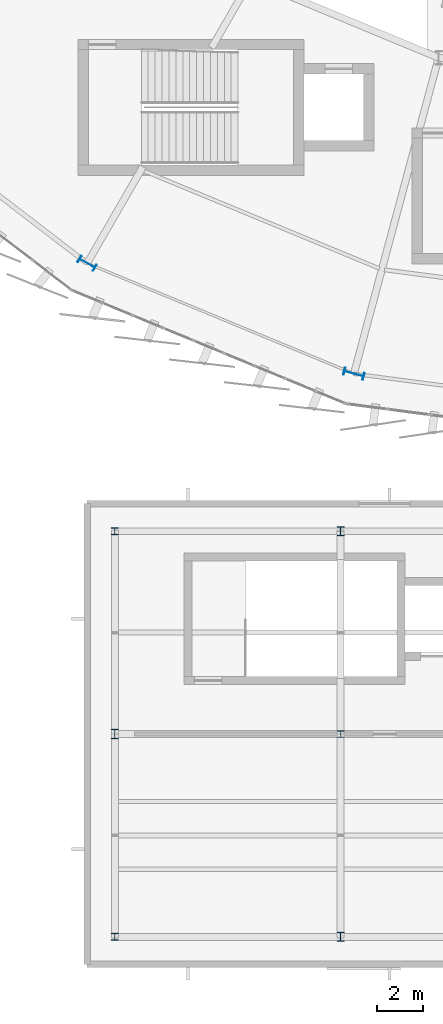
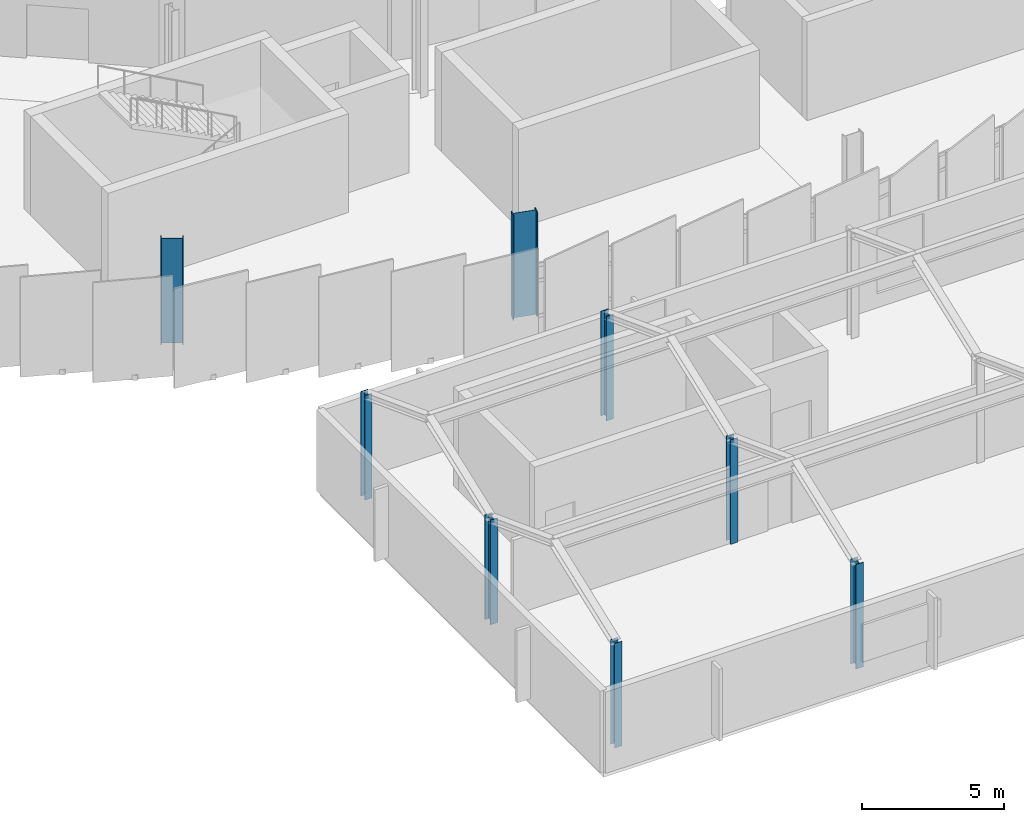
# One storey, part 1 of 87: 8 columns.
"""IFC4 building model written with IfcOpenShell, lengths in metres."""

from ifc_helpers import new_model, si_unit, direction, frame, origin, origin_2d, place, context, subcontext, project, spatial, i_section, extrude, material, material_profile, profile_set, type_object, element, save


model = new_model("IFC4")

# Units and contexts
model_context = context("Model", 3, precision=1e-05, world=origin(), true_north=direction((0.0, 1.0)))
body_context = subcontext(model_context, "Body", "Model", "MODEL_VIEW")
ifc_project = project(units=[si_unit("LENGTHUNIT", "METRE"), si_unit("AREAUNIT", "SQUARE_METRE"), si_unit("VOLUMEUNIT", "CUBIC_METRE"), si_unit("PLANEANGLEUNIT", "RADIAN"), si_unit("MASSUNIT", "GRAM", prefix="KILO")], contexts=[model_context])

# Site, building, storey
site_placement = place(None, origin())
site = spatial("IfcSite", under=ifc_project, at=site_placement, CompositionType="ELEMENT")
building_placement = place(site_placement, origin())
building = spatial("IfcBuilding", under=site, at=building_placement, Name="Sohan Crest Arena", CompositionType="ELEMENT")
storey_placement = place(building_placement, frame((0.0, 0.0, 18.0)))
storey = spatial("IfcBuildingStorey", under=building, at=storey_placement, Name="L04", CompositionType="ELEMENT", Elevation=18.0)

# Columns
ifc_material = material(Name="Steel S355", Category="steel")
ifc_material_profile_1 = material_profile(ifc_material, i_section(OverallWidth=0.300048828125, OverallDepth=0.300048828125, WebThickness=0.010986328125, FlangeThickness=0.01904296875, at=origin_2d()), Name="HEB 300")
ifc_profile_set_1 = profile_set([ifc_material_profile_1], Name="Steel S355")
column_type_1 = type_object("IfcColumnType", Name="STR-COL-C17", PredefinedType="COLUMN", material=ifc_profile_set_1)
for number, where, z_axis, x_axis, name in (
    (1, (75.199951171875, 7.199951171875, 0.0), (0.0, 0.0, 1.0), (1.0, 0.0, 0.0), "Structural column COL-V5C-01-1-L04"),
    (2, (75.199951171875, 24.800048828125, 0.0), (0.0, 0.0, 1.0), (1.0, 0.0, 0.0), "Structural column COL-V5C-01-3-L04"),
    (3, (85.0, 16.0, 0.0), (0.0, 0.0, 1.0), (1.0, 0.0, 0.0), "Structural column COL-V5C-02-2-L04"),
):
    element("IfcColumn", number, at=place(storey_placement, frame(where, z_axis=z_axis, x_axis=x_axis)), inside=storey, type_object=column_type_1, Name=name, PredefinedType="COLUMN", context=body_context, shape_type="SweptSolid", body=[
        extrude(i_section(OverallWidth=0.300048828125, OverallDepth=0.300048828125, WebThickness=0.010986328125, FlangeThickness=0.01904296875, at=origin_2d()), origin(), (0.0, 0.0, 1.0), 4.5),
    ])
ifc_material_profile_2 = material_profile(ifc_material, i_section(OverallWidth=0.300048828125, OverallDepth=0.39990234375, WebThickness=0.013427734375, FlangeThickness=0.02392578125, at=origin_2d()), Name="HEB 400")
ifc_profile_set_2 = profile_set([ifc_material_profile_2], Name="Steel S355")
column_type_2 = type_object("IfcColumnType", Name="STR-COL-C18", PredefinedType="COLUMN", material=ifc_profile_set_2)
for number, where, z_axis, x_axis, name in (
    (4, (75.199951171875, 16.0, 0.0), (0.0, 0.0, 1.0), (1.0, 0.0, 0.0), "Structural column COL-V5C-01-2-L04"),
    (5, (85.0, 7.199951171875, 0.0), (0.0, 0.0, 1.0), (1.0, 0.0, 0.0), "Structural column COL-V5C-02-1-L04"),
    (6, (85.0, 24.800048828125, 0.0), (0.0, 0.0, 1.0), (1.0, 0.0, 0.0), "Structural column COL-V5C-02-3-L04"),
):
    element("IfcColumn", number, at=place(storey_placement, frame(where, z_axis=z_axis, x_axis=x_axis)), inside=storey, type_object=column_type_2, Name=name, PredefinedType="COLUMN", context=body_context, shape_type="SweptSolid", body=[
        extrude(i_section(OverallWidth=0.300048828125, OverallDepth=0.39990234375, WebThickness=0.013427734375, FlangeThickness=0.02392578125, at=origin_2d()), origin(), (0.0, 0.0, 1.0), 4.5),
    ])
ifc_material_profile_3 = material_profile(ifc_material, i_section(OverallWidth=0.300048828125, OverallDepth=0.800048828125, WebThickness=0.017578125, FlangeThickness=0.032958984375, at=origin_2d()), Name="HEB 800")
ifc_profile_set_3 = profile_set([ifc_material_profile_3], Name="Steel S355")
column_type_3 = type_object("IfcColumnType", Name="STR-COL-C22", PredefinedType="COLUMN", material=ifc_profile_set_3)
column_1_placement = place(storey_placement, frame((74.0, 36.430908203125, 0.0), z_axis=(0.0, 0.0, 1.0), x_axis=(0.5, 0.866025403784, 0.0)))
element("IfcColumn", 7, at=column_1_placement, inside=storey, type_object=column_type_3, Name="Structural column COL-V2O-11-L04", PredefinedType="COLUMN", context=body_context, shape_type="SweptSolid", body=[
    extrude(i_section(OverallWidth=0.300048828125, OverallDepth=0.800048828125, WebThickness=0.017578125, FlangeThickness=0.032958984375, at=origin_2d()), origin(), (0.0, 0.0, 1.0), 4.5),
])
ifc_material_profile_4 = material_profile(ifc_material, i_section(OverallWidth=0.300048828125, OverallDepth=0.89990234375, WebThickness=0.0185546875, FlangeThickness=0.034912109375, at=origin_2d()), Name="HEB 900")
ifc_profile_set_4 = profile_set([ifc_material_profile_4], Name="Steel S355")
column_type_4 = type_object("IfcColumnType", Name="STR-COL-C23", PredefinedType="COLUMN", material=ifc_profile_set_4)
column_2_placement = place(storey_placement, frame((85.576904296875, 31.635986328125, 0.0), z_axis=(0.0, 0.0, 1.0), x_axis=(0.258819045103, 0.965925826289, 0.0)))
element("IfcColumn", 8, at=column_2_placement, inside=storey, type_object=column_type_4, Name="Structural column COL-V2O-12-L04", PredefinedType="COLUMN", context=body_context, shape_type="SweptSolid", body=[
    extrude(i_section(OverallWidth=0.300048828125, OverallDepth=0.89990234375, WebThickness=0.0185546875, FlangeThickness=0.034912109375, at=origin_2d()), origin(), (0.0, 0.0, 1.0), 4.5),
])

save(model, "model.ifc")
